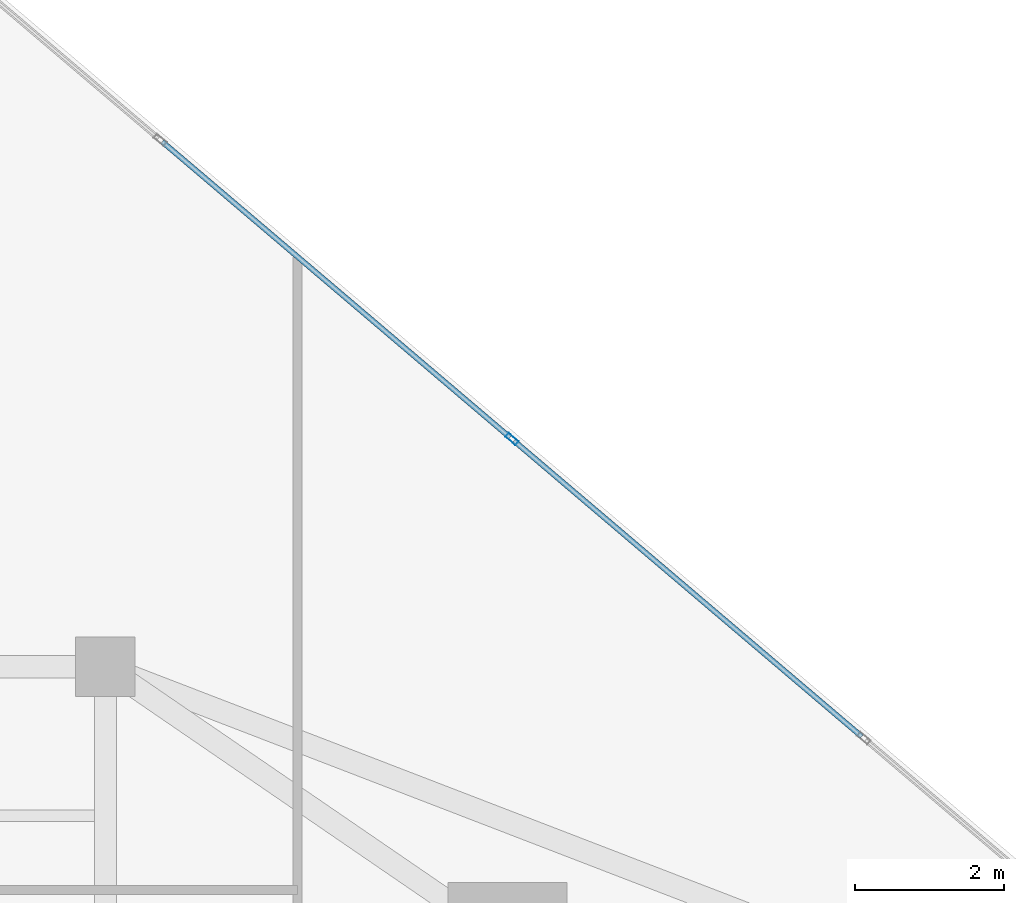
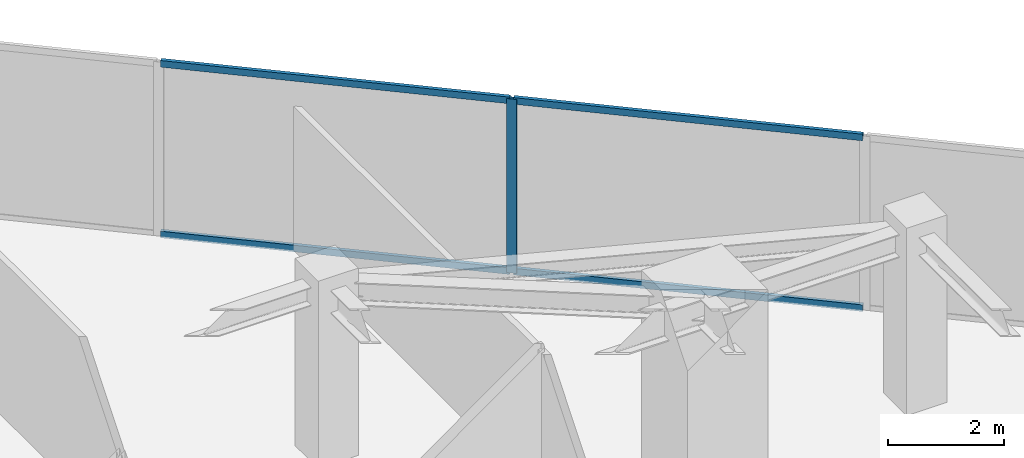
# One storey, part 20 of 25: 5 members, 1 element without a shape of its own.
"""IFC4 building model written with IfcOpenShell, lengths in metres."""

from ifc_helpers import new_model, si_unit, direction, frame, origin, origin_2d, place, context, subcontext, project, spatial, hollow_rectangle, extrude, source, transform, mapped, material, material_profile, profile_set, type_object, type_shapes, element, aggregate, save


model = new_model("IFC4")

# Units and contexts
model_context = context("Model", 3, precision=1e-05, world=origin(), true_north=direction((0.0, 1.0)))
body_context = subcontext(model_context, "Body", "Model", "MODEL_VIEW")
ifc_project = project(units=[si_unit("LENGTHUNIT", "METRE"), si_unit("AREAUNIT", "SQUARE_METRE"), si_unit("VOLUMEUNIT", "CUBIC_METRE"), si_unit("PLANEANGLEUNIT", "RADIAN"), si_unit("MASSUNIT", "GRAM", prefix="KILO")], contexts=[model_context])

# Site, building, storey
site_placement = place(None, origin())
site = spatial("IfcSite", under=ifc_project, at=site_placement, CompositionType="ELEMENT")
building_placement = place(site_placement, origin())
building = spatial("IfcBuilding", under=site, at=building_placement, Name="Krantzveldt Concourse Tower", CompositionType="ELEMENT")
storey_placement = place(building_placement, frame((0.0, 0.0, 215.199951171875)))
storey = spatial("IfcBuildingStorey", under=building, at=storey_placement, Name="L52", CompositionType="ELEMENT", Elevation=215.199951171875)

# Curtain wall, members
ifc_material = material(Name="Anodised aluminium 6063-T6", Category="aluminium")
curtain_wall_type = type_object("IfcCurtainWallType", Name="CW3", PredefinedType="USERDEFINED", material=ifc_material)
curtain_wall_placement = place(storey_placement, origin())
curtain_wall = element("IfcCurtainWall", 1, at=curtain_wall_placement, inside=storey, type_object=curtain_wall_type, Name="CW-L52-F10", ObjectType="UNITISED CURTAIN WALL", PredefinedType="USERDEFINED")
ifc_material_profile_1 = material_profile(ifc_material, hollow_rectangle(XDim=0.070068359375, YDim=0.179931640625, WallThickness=0.0048828125, at=origin_2d()), Name="Anodised aluminium 6063-T6", Category="aluminium")
ifc_profile_set_1 = profile_set([ifc_material_profile_1], Name="Anodised aluminium 6063-T6 - ALU-MULL 180x70x5")
member_type_1 = type_object("IfcMemberType", Name="CW-MUL-180", PredefinedType="MULLION", material=ifc_profile_set_1)
shared_shape_1 = source(origin(), body_context, "Body", "SweptSolid", [
    extrude(hollow_rectangle(XDim=0.070068359375, YDim=0.179931640625, WallThickness=0.0048828125, at=origin_2d()), origin(), (0.0, 0.0, 1.0), 3.670166015625),
])
type_shapes(member_type_1, [shared_shape_1])
member_1_placement = place(storey_placement, frame((46.859619140625, 44.2568359375, 0.0), z_axis=(0.0, 0.0, 1.0), x_axis=(-0.647787694805, -0.761820912327, 0.0)))
member_1 = element("IfcMember", 2, at=member_1_placement, type_object=member_type_1, Name="CW-Z34 mullion 4", PredefinedType="MULLION", context=body_context, shape_type="MappedRepresentation", body=[
    mapped(shared_shape_1, transform((0.0, 0.0, 0.0), x_axis=(1.0, 0.0, 0.0), y_axis=(0.0, 1.0, 0.0), z_axis=(0.0, 0.0, 1.0), scale=1.0)),
])
ifc_material_profile_2 = material_profile(ifc_material, hollow_rectangle(XDim=0.070068359375, YDim=0.139892578125, WallThickness=0.0048828125, at=origin_2d()), Name="Anodised aluminium 6063-T6", Category="aluminium")
ifc_profile_set_2 = profile_set([ifc_material_profile_2], Name="Anodised aluminium 6063-T6 - ALU-TRAN 140x70x5")
member_type_2 = type_object("IfcMemberType", Name="CW-TRN-150", PredefinedType="USERDEFINED", material=ifc_profile_set_2)
shared_shape_2 = source(origin(), body_context, "Body", "SweptSolid", [
    extrude(hollow_rectangle(XDim=0.070068359375, YDim=0.139892578125, WallThickness=0.0048828125, at=origin_2d()), origin(), (0.0, 0.0, 1.0), 6.1298828125),
])
type_shapes(member_type_2, [shared_shape_2])
member_2_placement = place(storey_placement, frame((51.556396484375, 40.26318359375, 0.03515625), z_axis=(-0.761817452252, 0.647791763952, 0.0), x_axis=(-0.647791763952, -0.761817452252, 0.0)))
member_2 = element("IfcMember", 3, at=member_2_placement, type_object=member_type_2, Name="CW-Z34 transom 3.1", ObjectType="TRANSOM", PredefinedType="USERDEFINED", context=body_context, shape_type="MappedRepresentation", body=[
    mapped(shared_shape_2, transform((0.0, 0.0, 0.0), x_axis=(1.0, 0.0, 0.0), y_axis=(0.0, 1.0, 0.0), z_axis=(0.0, 0.0, 1.0), scale=1.0)),
])
member_3_placement = place(storey_placement, frame((51.556396484375, 40.26318359375, 3.635009765625), z_axis=(-0.761817452252, 0.647791763952, 0.0), x_axis=(-0.647791763952, -0.761817452252, 0.0)))
member_3 = element("IfcMember", 4, at=member_3_placement, type_object=member_type_2, Name="CW-Z34 transom 3.2", ObjectType="TRANSOM", PredefinedType="USERDEFINED", context=body_context, shape_type="MappedRepresentation", body=[
    mapped(shared_shape_2, transform((0.0, 0.0, 0.0), x_axis=(1.0, 0.0, 0.0), y_axis=(0.0, 1.0, 0.0), z_axis=(0.0, 0.0, 1.0), scale=1.0)),
])
member_4_placement = place(storey_placement, frame((46.8330078125, 44.279541015625, 0.03515625), z_axis=(-0.761817452252, 0.647791763952, 0.0), x_axis=(-0.647791763952, -0.761817452252, 0.0)))
member_4 = element("IfcMember", 5, at=member_4_placement, type_object=member_type_2, Name="CW-Z34 transom 4.1", ObjectType="TRANSOM", PredefinedType="USERDEFINED", context=body_context, shape_type="MappedRepresentation", body=[
    mapped(shared_shape_2, transform((0.0, 0.0, 0.0), x_axis=(1.0, 0.0, 0.0), y_axis=(0.0, 1.0, 0.0), z_axis=(0.0, 0.0, 1.0), scale=1.0)),
])
member_5_placement = place(storey_placement, frame((46.8330078125, 44.279541015625, 3.635009765625), z_axis=(-0.761817452252, 0.647791763952, 0.0), x_axis=(-0.647791763952, -0.761817452252, 0.0)))
member_5 = element("IfcMember", 6, at=member_5_placement, type_object=member_type_2, Name="CW-Z34 transom 4.2", ObjectType="TRANSOM", PredefinedType="USERDEFINED", context=body_context, shape_type="MappedRepresentation", body=[
    mapped(shared_shape_2, transform((0.0, 0.0, 0.0), x_axis=(1.0, 0.0, 0.0), y_axis=(0.0, 1.0, 0.0), z_axis=(0.0, 0.0, 1.0), scale=1.0)),
])
aggregate(curtain_wall, [member_1, member_2, member_3, member_4, member_5])

save(model, "model.ifc")
